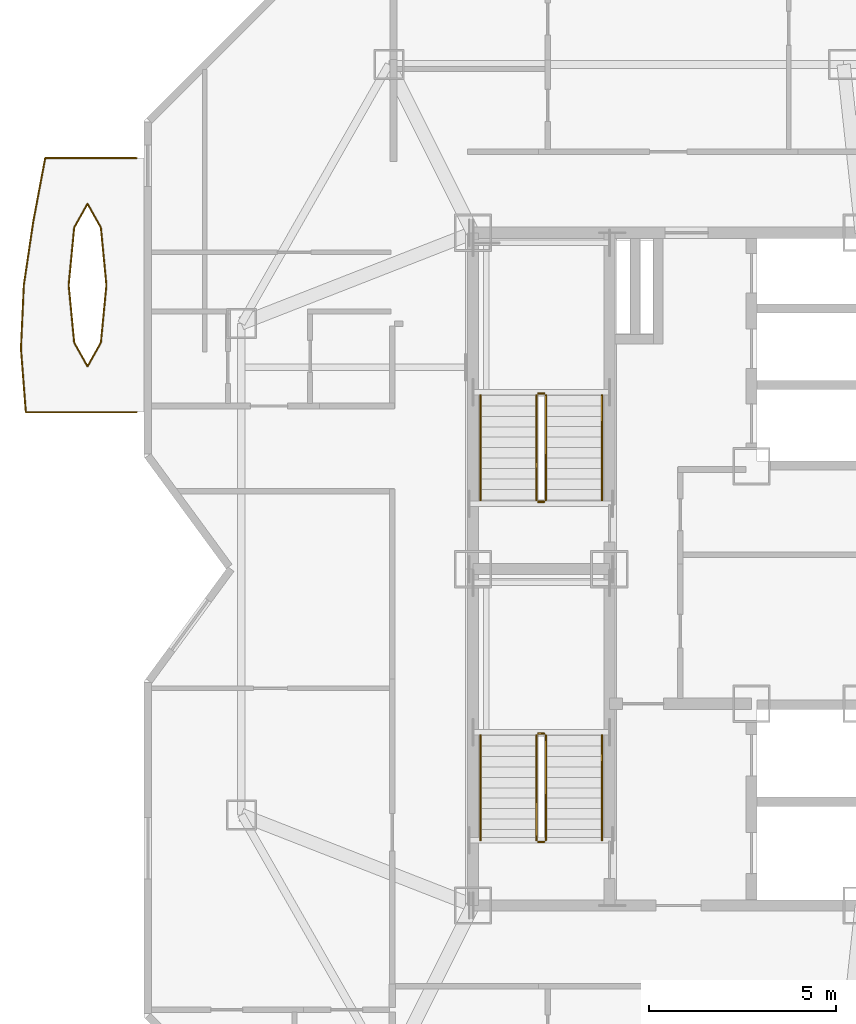
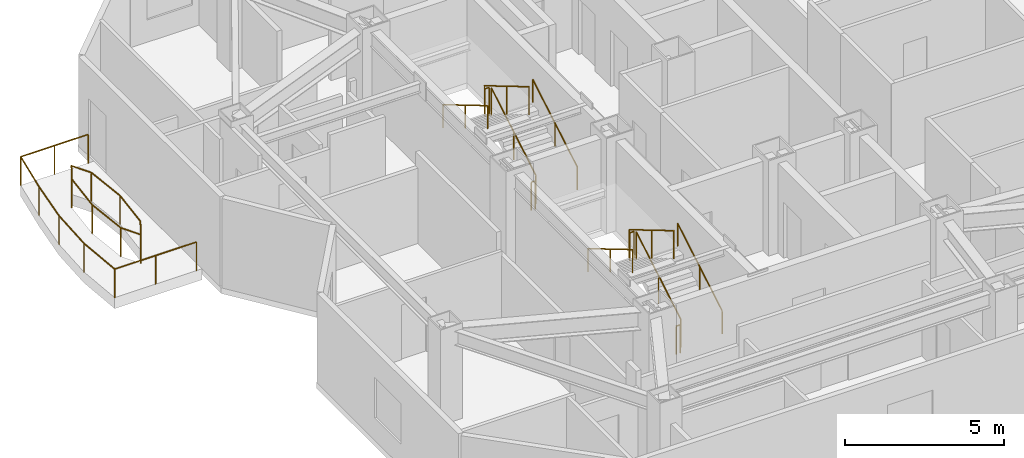
# One storey, part 10 of 11: 16 railings.
"""IFC4 building model written with IfcOpenShell, lengths in metres."""

from ifc_helpers import new_model, si_unit, direction, frame, origin, origin_2d, place, context, subcontext, project, spatial, circle, extrude, material, type_object, element, save


model = new_model("IFC4")

# Units and contexts
model_context = context("Model", 3, precision=1e-05, world=origin(), true_north=direction((0.0, 1.0)))
body_context = subcontext(model_context, "Body", "Model", "MODEL_VIEW")
ifc_project = project(units=[si_unit("LENGTHUNIT", "METRE"), si_unit("AREAUNIT", "SQUARE_METRE"), si_unit("VOLUMEUNIT", "CUBIC_METRE"), si_unit("PLANEANGLEUNIT", "RADIAN"), si_unit("MASSUNIT", "GRAM", prefix="KILO")], contexts=[model_context])

# Site, building, storey
site_placement = place(None, origin())
site = spatial("IfcSite", under=ifc_project, at=site_placement, CompositionType="ELEMENT")
building_placement = place(site_placement, origin())
building = spatial("IfcBuilding", under=site, at=building_placement, Name="Khamvora Tower", CompositionType="ELEMENT")
storey_placement = place(building_placement, frame((0.0, 0.0, 239.10009765625)))
storey = spatial("IfcBuildingStorey", under=building, at=storey_placement, Name="L61", CompositionType="ELEMENT", Elevation=239.10009765625)

# Railings
ifc_material_1 = material(Name="Stainless Steel 316 and Laminated Glass", Category="steel")
railing_type_1 = type_object("IfcRailingType", Name="RAL-GAL-1120", PredefinedType="GUARDRAIL", material=ifc_material_1)
railing_1_placement = place(storey_placement, frame((20.0, 32.199951171875, 0.0)))
element("IfcRailing", 1, at=railing_1_placement, inside=storey, type_object=railing_type_1, Name="L61 lens gallery south perimeter guardrail WL2", PredefinedType="GUARDRAIL", context=body_context, shape_type="SweptSolid", body=[
    extrude(circle(Radius=0.02392578125, at=origin_2d()), frame((0.0, 0.0, 1.09619140625), z_axis=(-1.0, 0.0, 0.0), x_axis=(0.0, -1.0, 0.0)), (0.0, 0.0, 1.0), 2.967041015625),
    extrude(circle(Radius=0.02392578125, at=origin_2d()), frame((-2.967041015625, 0.0, 1.09619140625), z_axis=(-0.076751248892, 0.99705027245, 0.0), x_axis=(-0.99705027245, -0.076751248892, 0.0)), (0.0, 0.0, 1.0), 1.705078125),
    extrude(circle(Radius=0.02392578125, at=origin_2d()), frame((-3.097900390625, 1.699951171875, 1.09619140625), z_axis=(0.045186423055, 0.998978571928, 0.0), x_axis=(-0.998978571928, 0.045186423055, 0.0)), (0.0, 0.0, 1.0), 1.701904296875),
    extrude(circle(Radius=0.02099609375, at=origin_2d()), origin(), (0.0, 0.0, 1.0), 1.072021484375),
    extrude(circle(Radius=0.02099609375, at=origin_2d()), frame((-1.4833984375, 0.0, 0.0)), (0.0, 0.0, 1.0), 1.072021484375),
    extrude(circle(Radius=0.02099609375, at=origin_2d()), frame((-2.967041015625, 0.0, 0.0)), (0.0, 0.0, 1.0), 1.072021484375),
    extrude(circle(Radius=0.02099609375, at=origin_2d()), frame((-3.097900390625, 1.699951171875, 0.0)), (0.0, 0.0, 1.0), 1.072021484375),
    extrude(circle(Radius=0.02099609375, at=origin_2d()), frame((-3.02099609375, 3.400146484375, 0.0)), (0.0, 0.0, 1.0), 1.072021484375),
])
railing_2_placement = place(storey_placement, frame((16.97900390625, 35.60009765625, 0.0)))
element("IfcRailing", 2, at=railing_2_placement, inside=storey, type_object=railing_type_1, Name="L61 lens gallery north perimeter guardrail WL2", PredefinedType="GUARDRAIL", context=body_context, shape_type="SweptSolid", body=[
    extrude(circle(Radius=0.02392578125, at=origin_2d()), frame((0.0, 0.0, 1.09619140625), z_axis=(0.147166417997, 0.989111745666, 0.0), x_axis=(-0.989111745666, 0.147166417997, 0.0)), (0.0, 0.0, 1.0), 1.71875),
    extrude(circle(Radius=0.02392578125, at=origin_2d()), frame((0.2529296875, 1.699951171875, 1.09619140625), z_axis=(0.185029848279, 0.982732901274, 0.0), x_axis=(-0.982732901274, 0.185029848279, 0.0)), (0.0, 0.0, 1.0), 1.729736328125),
    extrude(circle(Radius=0.02392578125, at=origin_2d()), frame((0.572998046875, 3.39990234375, 1.09619140625), z_axis=(1.0, 0.0, 0.0), x_axis=(0.0, 1.0, 0.0)), (0.0, 0.0, 1.0), 2.447998046875),
    extrude(circle(Radius=0.02099609375, at=origin_2d()), origin(), (0.0, 0.0, 1.0), 1.072021484375),
    extrude(circle(Radius=0.02099609375, at=origin_2d()), frame((0.2529296875, 1.699951171875, 0.0)), (0.0, 0.0, 1.0), 1.072021484375),
    extrude(circle(Radius=0.02099609375, at=origin_2d()), frame((0.572998046875, 3.39990234375, 0.0)), (0.0, 0.0, 1.0), 1.072021484375),
    extrude(circle(Radius=0.02099609375, at=origin_2d()), frame((1.796875, 3.39990234375, 0.0)), (0.0, 0.0, 1.0), 1.072021484375),
    extrude(circle(Radius=0.02099609375, at=origin_2d()), frame((3.02099609375, 3.39990234375, 0.0)), (0.0, 0.0, 1.0), 1.072021484375),
])
railing_3_placement = place(storey_placement, frame((19.18896484375, 35.60009765625, 0.0)))
element("IfcRailing", 3, at=railing_3_placement, inside=storey, type_object=railing_type_1, Name="L61 lens gallery void guardrail WL2A", PredefinedType="GUARDRAIL", context=body_context, shape_type="SweptSolid", body=[
    extrude(circle(Radius=0.02392578125, at=origin_2d()), frame((0.0, 0.0, 1.09619140625), z_axis=(-0.09570337897, 0.995409897105, 0.0), x_axis=(-0.995409897105, -0.09570337897, 0.0)), (0.0, 0.0, 1.0), 1.5458984375),
    extrude(circle(Radius=0.02392578125, at=origin_2d()), frame((-0.14794921875, 1.538818359375, 1.09619140625), z_axis=(-0.487828856646, 0.872939291488, 0.0), x_axis=(-0.872939291488, -0.487828856646, 0.0)), (0.0, 0.0, 1.0), 0.729736328125),
    extrude(circle(Radius=0.02392578125, at=origin_2d()), frame((-0.50390625, 2.17578125, 1.09619140625), z_axis=(-0.487828856646, -0.872939291488, 0.0), x_axis=(0.872939291488, -0.487828856646, 0.0)), (0.0, 0.0, 1.0), 0.729736328125),
    extrude(circle(Radius=0.02392578125, at=origin_2d()), frame((-0.85986328125, 1.538818359375, 1.09619140625), z_axis=(-0.095859855319, -0.995394840321, 0.0), x_axis=(0.995394840321, -0.095859855319, 0.0)), (0.0, 0.0, 1.0), 1.5458984375),
    extrude(circle(Radius=0.02099609375, at=origin_2d()), origin(), (0.0, 0.0, 1.0), 1.072021484375),
    extrude(circle(Radius=0.02099609375, at=origin_2d()), frame((-0.14794921875, 1.538818359375, 0.0)), (0.0, 0.0, 1.0), 1.072021484375),
    extrude(circle(Radius=0.02099609375, at=origin_2d()), frame((-0.50390625, 2.17578125, 0.0)), (0.0, 0.0, 1.0), 1.072021484375),
    extrude(circle(Radius=0.02099609375, at=origin_2d()), frame((-0.85986328125, 1.538818359375, 0.0)), (0.0, 0.0, 1.0), 1.072021484375),
    extrude(circle(Radius=0.02099609375, at=origin_2d()), frame((-1.008056640625, 0.0, 0.0)), (0.0, 0.0, 1.0), 1.072021484375),
])
railing_4_placement = place(storey_placement, frame((18.180908203125, 35.60009765625, 0.0)))
element("IfcRailing", 4, at=railing_4_placement, inside=storey, type_object=railing_type_1, Name="L61 lens gallery void guardrail WL2B", PredefinedType="GUARDRAIL", context=body_context, shape_type="SweptSolid", body=[
    extrude(circle(Radius=0.02392578125, at=origin_2d()), frame((0.0, 0.0, 1.09619140625), z_axis=(0.095844788822, -0.99539629116, 0.0), x_axis=(0.99539629116, 0.095844788822, 0.0)), (0.0, 0.0, 1.0), 1.546142578125),
    extrude(circle(Radius=0.02392578125, at=origin_2d()), frame((0.148193359375, -1.5390625, 1.09619140625), z_axis=(0.487828856646, -0.872939291488, 0.0), x_axis=(0.872939291488, 0.487828856646, 0.0)), (0.0, 0.0, 1.0), 0.729736328125),
    extrude(circle(Radius=0.02392578125, at=origin_2d()), frame((0.504150390625, -2.176025390625, 1.09619140625), z_axis=(0.487828856646, 0.872939291488, 0.0), x_axis=(-0.872939291488, 0.487828856646, 0.0)), (0.0, 0.0, 1.0), 0.729736328125),
    extrude(circle(Radius=0.02392578125, at=origin_2d()), frame((0.860107421875, -1.5390625, 1.09619140625), z_axis=(0.095688336612, 0.995411343233, 0.0), x_axis=(-0.995411343233, 0.095688336612, 0.0)), (0.0, 0.0, 1.0), 1.546142578125),
    extrude(circle(Radius=0.02099609375, at=origin_2d()), origin(), (0.0, 0.0, 1.0), 1.072021484375),
    extrude(circle(Radius=0.02099609375, at=origin_2d()), frame((0.148193359375, -1.5390625, 0.0)), (0.0, 0.0, 1.0), 1.072021484375),
    extrude(circle(Radius=0.02099609375, at=origin_2d()), frame((0.504150390625, -2.176025390625, 0.0)), (0.0, 0.0, 1.0), 1.072021484375),
    extrude(circle(Radius=0.02099609375, at=origin_2d()), frame((0.860107421875, -1.5390625, 0.0)), (0.0, 0.0, 1.0), 1.072021484375),
    extrude(circle(Radius=0.02099609375, at=origin_2d()), frame((1.008056640625, 0.0, 0.0)), (0.0, 0.0, 1.0), 1.072021484375),
])
ifc_material_2 = material(Name="Brushed Stainless Steel 316", Category="steel")
railing_type_2 = type_object("IfcRailingType", Name="RAL-HDR-920", PredefinedType="HANDRAIL", material=ifc_material_2)
railing_5_placement = place(storey_placement, frame((32.449951171875, 20.75, 0.165771484375)))
element("IfcRailing", 5, at=railing_5_placement, inside=storey, type_object=railing_type_2, Name="L61 ST-01 stair handrail 1", PredefinedType="HANDRAIL", context=body_context, shape_type="SweptSolid", body=[
    extrude(circle(Radius=0.02392578125, at=origin_2d()), frame((0.0, 0.0, 0.8759765625), z_axis=(0.0, 0.860306154799, 0.50977771628), x_axis=(-1.0, 0.0, 0.0)), (0.0, 0.0, 1.0), 3.254638671875),
    extrude(circle(Radius=0.02099609375, at=origin_2d()), origin(), (0.0, 0.0, 1.0), 0.851806640625),
    extrude(circle(Radius=0.02099609375, at=origin_2d()), frame((0.0, 1.39990234375, 0.82958984375)), (0.0, 0.0, 1.0), 0.851806640625),
    extrude(circle(Radius=0.02099609375, at=origin_2d()), frame((0.0, 2.800048828125, 1.6591796875)), (0.0, 0.0, 1.0), 0.851806640625),
])
railing_6_placement = place(storey_placement, frame((29.199951171875, 23.550048828125, 1.99072265625)))
element("IfcRailing", 6, at=railing_6_placement, inside=storey, type_object=railing_type_2, Name="L61 ST-01 stair handrail 2", PredefinedType="HANDRAIL", context=body_context, shape_type="SweptSolid", body=[
    extrude(circle(Radius=0.02392578125, at=origin_2d()), frame((0.0, 0.0, 0.8759765625), z_axis=(0.0, -0.860306154799, 0.50977771628), x_axis=(1.0, 0.0, 0.0)), (0.0, 0.0, 1.0), 3.254638671875),
    extrude(circle(Radius=0.02099609375, at=origin_2d()), origin(), (0.0, 0.0, 1.0), 0.851806640625),
    extrude(circle(Radius=0.02099609375, at=origin_2d()), frame((0.0, -1.39990234375, 0.82958984375)), (0.0, 0.0, 1.0), 0.851806640625),
    extrude(circle(Radius=0.02099609375, at=origin_2d()), frame((0.0, -2.800048828125, 1.6591796875)), (0.0, 0.0, 1.0), 0.851806640625),
])
railing_7_placement = place(storey_placement, frame((32.449951171875, 29.85009765625, 0.165771484375)))
element("IfcRailing", 7, at=railing_7_placement, inside=storey, type_object=railing_type_2, Name="L61 ST-02 stair handrail 1", PredefinedType="HANDRAIL", context=body_context, shape_type="SweptSolid", body=[
    extrude(circle(Radius=0.02392578125, at=origin_2d()), frame((0.0, 0.0, 0.8759765625), z_axis=(0.0, 0.860286659441, 0.509810615413), x_axis=(-1.0, 0.0, 0.0)), (0.0, 0.0, 1.0), 3.25439453125),
    extrude(circle(Radius=0.02099609375, at=origin_2d()), origin(), (0.0, 0.0, 1.0), 0.851806640625),
    extrude(circle(Radius=0.02099609375, at=origin_2d()), frame((0.0, 1.39990234375, 0.82958984375)), (0.0, 0.0, 1.0), 0.851806640625),
    extrude(circle(Radius=0.02099609375, at=origin_2d()), frame((0.0, 2.7998046875, 1.6591796875)), (0.0, 0.0, 1.0), 0.851806640625),
])
railing_8_placement = place(storey_placement, frame((29.199951171875, 32.64990234375, 1.99072265625)))
element("IfcRailing", 8, at=railing_8_placement, inside=storey, type_object=railing_type_2, Name="L61 ST-02 stair handrail 2", PredefinedType="HANDRAIL", context=body_context, shape_type="SweptSolid", body=[
    extrude(circle(Radius=0.02392578125, at=origin_2d()), frame((0.0, 0.0, 0.8759765625), z_axis=(0.0, -0.860286659441, 0.509810615413), x_axis=(1.0, 0.0, 0.0)), (0.0, 0.0, 1.0), 3.25439453125),
    extrude(circle(Radius=0.02099609375, at=origin_2d()), origin(), (0.0, 0.0, 1.0), 0.851806640625),
    extrude(circle(Radius=0.02099609375, at=origin_2d()), frame((0.0, -1.39990234375, 0.82958984375)), (0.0, 0.0, 1.0), 0.851806640625),
    extrude(circle(Radius=0.02099609375, at=origin_2d()), frame((0.0, -2.7998046875, 1.6591796875)), (0.0, 0.0, 1.0), 0.851806640625),
])
ifc_material_3 = material(Name="Stainless Steel 316", Category="steel")
railing_type_3 = type_object("IfcRailingType", Name="RAL-STG-1100", PredefinedType="GUARDRAIL", material=ifc_material_3)
railing_9_placement = place(storey_placement, frame((30.949951171875, 20.75, 0.165771484375)))
element("IfcRailing", 9, at=railing_9_placement, inside=storey, type_object=railing_type_3, Name="L61 ST-01 stair guard 1", PredefinedType="GUARDRAIL", context=body_context, shape_type="SweptSolid", body=[
    extrude(circle(Radius=0.02392578125, at=origin_2d()), frame((0.0, 0.0, 1.076171875), z_axis=(0.0, 0.860306154799, 0.50977771628), x_axis=(-1.0, 0.0, 0.0)), (0.0, 0.0, 1.0), 3.254638671875),
    extrude(circle(Radius=0.02099609375, at=origin_2d()), origin(), (0.0, 0.0, 1.0), 1.052001953125),
    extrude(circle(Radius=0.02099609375, at=origin_2d()), frame((0.0, 1.39990234375, 0.82958984375)), (0.0, 0.0, 1.0), 1.052001953125),
    extrude(circle(Radius=0.02099609375, at=origin_2d()), frame((0.0, 2.800048828125, 1.6591796875)), (0.0, 0.0, 1.0), 1.052001953125),
])
railing_10_placement = place(storey_placement, frame((30.89990234375, 23.60009765625, 1.824951171875)))
element("IfcRailing", 10, at=railing_10_placement, inside=storey, type_object=railing_type_3, Name="L61 ST-01 stair guard 2", PredefinedType="GUARDRAIL", context=body_context, shape_type="SweptSolid", body=[
    extrude(circle(Radius=0.02392578125, at=origin_2d()), frame((0.0, 0.0, 1.076171875), z_axis=(-1.0, 0.0, 0.0), x_axis=(0.0, -1.0, 0.0)), (0.0, 0.0, 1.0), 0.14990234375),
    extrude(circle(Radius=0.02099609375, at=origin_2d()), origin(), (0.0, 0.0, 1.0), 1.052001953125),
    extrude(circle(Radius=0.02099609375, at=origin_2d()), frame((-0.14990234375, 0.0, 0.0)), (0.0, 0.0, 1.0), 1.052001953125),
])
railing_11_placement = place(storey_placement, frame((30.699951171875, 23.550048828125, 1.99072265625)))
element("IfcRailing", 11, at=railing_11_placement, inside=storey, type_object=railing_type_3, Name="L61 ST-01 stair guard 3", PredefinedType="GUARDRAIL", context=body_context, shape_type="SweptSolid", body=[
    extrude(circle(Radius=0.02392578125, at=origin_2d()), frame((0.0, 0.0, 1.076171875), z_axis=(0.0, -0.860306154799, 0.50977771628), x_axis=(1.0, 0.0, 0.0)), (0.0, 0.0, 1.0), 3.254638671875),
    extrude(circle(Radius=0.02099609375, at=origin_2d()), origin(), (0.0, 0.0, 1.0), 1.052001953125),
    extrude(circle(Radius=0.02099609375, at=origin_2d()), frame((0.0, -1.39990234375, 0.82958984375)), (0.0, 0.0, 1.0), 1.052001953125),
    extrude(circle(Radius=0.02099609375, at=origin_2d()), frame((0.0, -2.800048828125, 1.6591796875)), (0.0, 0.0, 1.0), 1.052001953125),
])
railing_12_placement = place(storey_placement, frame((30.89990234375, 20.699951171875, 0.0)))
element("IfcRailing", 12, at=railing_12_placement, inside=storey, type_object=railing_type_3, Name="L61 ST-01 stair guard 4", PredefinedType="GUARDRAIL", context=body_context, shape_type="SweptSolid", body=[
    extrude(circle(Radius=0.02392578125, at=origin_2d()), frame((0.0, 0.0, 1.076171875), z_axis=(-1.0, 0.0, 0.0), x_axis=(0.0, -1.0, 0.0)), (0.0, 0.0, 1.0), 0.14990234375),
    extrude(circle(Radius=0.02099609375, at=origin_2d()), origin(), (0.0, 0.0, 1.0), 1.052001953125),
    extrude(circle(Radius=0.02099609375, at=origin_2d()), frame((-0.14990234375, 0.0, 0.0)), (0.0, 0.0, 1.0), 1.052001953125),
])
railing_13_placement = place(storey_placement, frame((30.949951171875, 29.85009765625, 0.165771484375)))
element("IfcRailing", 13, at=railing_13_placement, inside=storey, type_object=railing_type_3, Name="L61 ST-02 stair guard 1", PredefinedType="GUARDRAIL", context=body_context, shape_type="SweptSolid", body=[
    extrude(circle(Radius=0.02392578125, at=origin_2d()), frame((0.0, 0.0, 1.076171875), z_axis=(0.0, 0.860286659441, 0.509810615413), x_axis=(-1.0, 0.0, 0.0)), (0.0, 0.0, 1.0), 3.25439453125),
    extrude(circle(Radius=0.02099609375, at=origin_2d()), origin(), (0.0, 0.0, 1.0), 1.052001953125),
    extrude(circle(Radius=0.02099609375, at=origin_2d()), frame((0.0, 1.39990234375, 0.82958984375)), (0.0, 0.0, 1.0), 1.052001953125),
    extrude(circle(Radius=0.02099609375, at=origin_2d()), frame((0.0, 2.7998046875, 1.6591796875)), (0.0, 0.0, 1.0), 1.052001953125),
])
railing_14_placement = place(storey_placement, frame((30.89990234375, 32.699951171875, 1.824951171875)))
element("IfcRailing", 14, at=railing_14_placement, inside=storey, type_object=railing_type_3, Name="L61 ST-02 stair guard 2", PredefinedType="GUARDRAIL", context=body_context, shape_type="SweptSolid", body=[
    extrude(circle(Radius=0.02392578125, at=origin_2d()), frame((0.0, 0.0, 1.076171875), z_axis=(-1.0, 0.0, 0.0), x_axis=(0.0, -1.0, 0.0)), (0.0, 0.0, 1.0), 0.14990234375),
    extrude(circle(Radius=0.02099609375, at=origin_2d()), origin(), (0.0, 0.0, 1.0), 1.052001953125),
    extrude(circle(Radius=0.02099609375, at=origin_2d()), frame((-0.14990234375, 0.0, 0.0)), (0.0, 0.0, 1.0), 1.052001953125),
])
railing_15_placement = place(storey_placement, frame((30.699951171875, 32.64990234375, 1.99072265625)))
element("IfcRailing", 15, at=railing_15_placement, inside=storey, type_object=railing_type_3, Name="L61 ST-02 stair guard 3", PredefinedType="GUARDRAIL", context=body_context, shape_type="SweptSolid", body=[
    extrude(circle(Radius=0.02392578125, at=origin_2d()), frame((0.0, 0.0, 1.076171875), z_axis=(0.0, -0.860286659441, 0.509810615413), x_axis=(1.0, 0.0, 0.0)), (0.0, 0.0, 1.0), 3.25439453125),
    extrude(circle(Radius=0.02099609375, at=origin_2d()), origin(), (0.0, 0.0, 1.0), 1.052001953125),
    extrude(circle(Radius=0.02099609375, at=origin_2d()), frame((0.0, -1.39990234375, 0.82958984375)), (0.0, 0.0, 1.0), 1.052001953125),
    extrude(circle(Radius=0.02099609375, at=origin_2d()), frame((0.0, -2.7998046875, 1.6591796875)), (0.0, 0.0, 1.0), 1.052001953125),
])
railing_16_placement = place(storey_placement, frame((30.89990234375, 29.800048828125, 0.0)))
element("IfcRailing", 16, at=railing_16_placement, inside=storey, type_object=railing_type_3, Name="L61 ST-02 stair guard 4", PredefinedType="GUARDRAIL", context=body_context, shape_type="SweptSolid", body=[
    extrude(circle(Radius=0.02392578125, at=origin_2d()), frame((0.0, 0.0, 1.076171875), z_axis=(-1.0, 0.0, 0.0), x_axis=(0.0, -1.0, 0.0)), (0.0, 0.0, 1.0), 0.14990234375),
    extrude(circle(Radius=0.02099609375, at=origin_2d()), origin(), (0.0, 0.0, 1.0), 1.052001953125),
    extrude(circle(Radius=0.02099609375, at=origin_2d()), frame((-0.14990234375, 0.0, 0.0)), (0.0, 0.0, 1.0), 1.052001953125),
])

save(model, "model.ifc")
